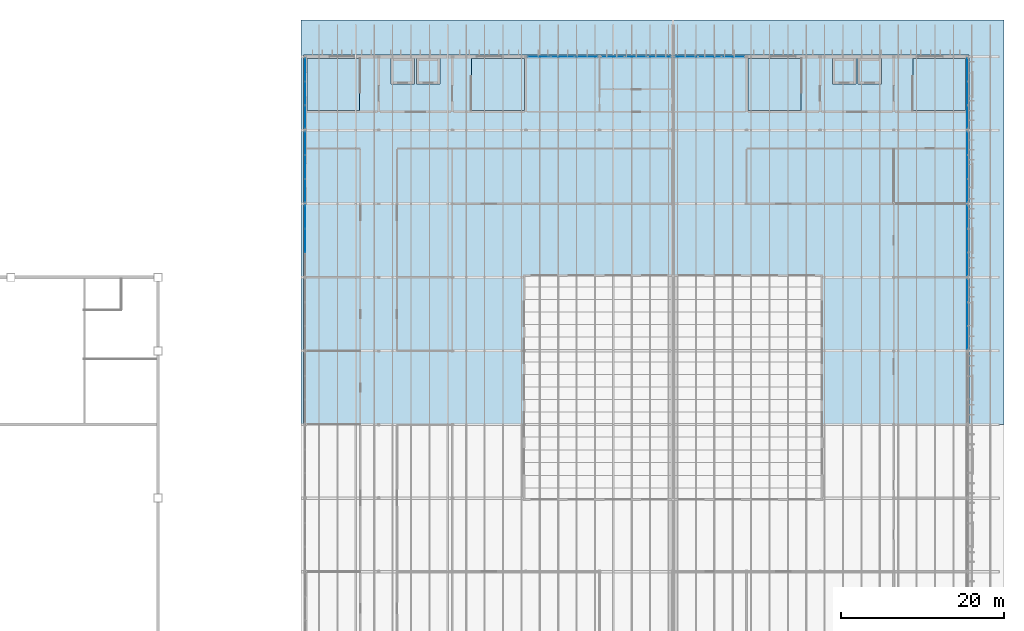
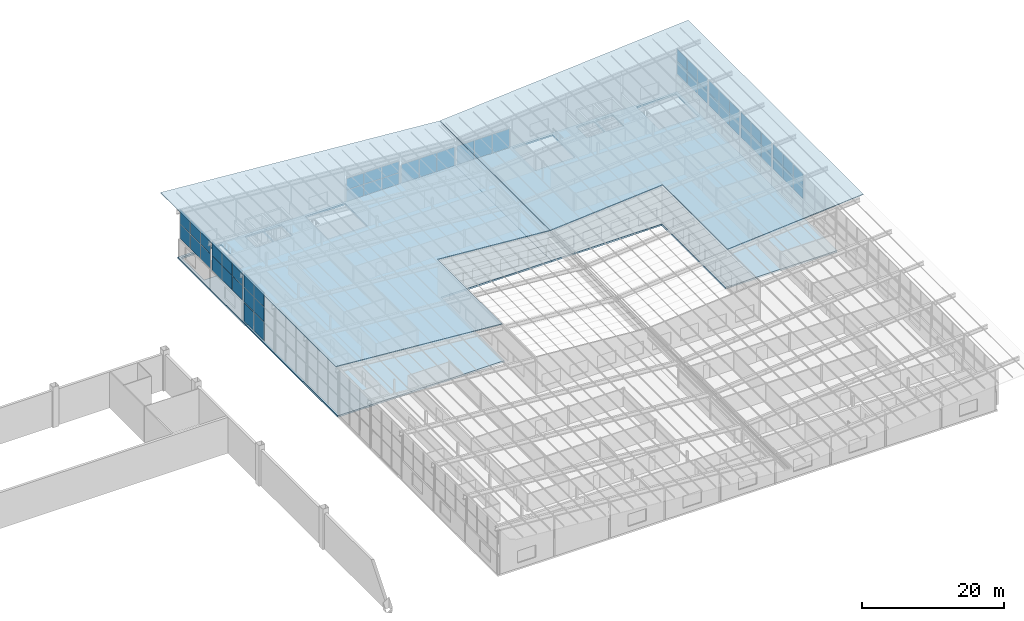
# One storey, part 68 of 85: 54 plates, 4 slabs, 11 elements without a shape of their own.
"""IFC4 building model written with IfcOpenShell, lengths in metres."""

from ifc_helpers import new_model, si_unit, direction, frame, origin, origin_2d, place, context, subcontext, project, spatial, polyline, rectangle, outline, extrude, material, layer, layer_set, type_object, element, aggregate, save


model = new_model("IFC4")

# Units and contexts
model_context = context("Model", 3, precision=1e-05, world=origin(), true_north=direction((0.0, 1.0)))
body_context = subcontext(model_context, "Body", "Model", "MODEL_VIEW")
ifc_project = project(units=[si_unit("LENGTHUNIT", "METRE"), si_unit("AREAUNIT", "SQUARE_METRE"), si_unit("VOLUMEUNIT", "CUBIC_METRE"), si_unit("PLANEANGLEUNIT", "RADIAN"), si_unit("MASSUNIT", "GRAM", prefix="KILO")], contexts=[model_context])

# Site, building, storey
site_placement = place(None, origin())
site = spatial("IfcSite", under=ifc_project, at=site_placement, CompositionType="ELEMENT")
building_placement = place(site_placement, origin())
building = spatial("IfcBuilding", under=site, at=building_placement, Name="Opaline Strait Convention Centre", CompositionType="ELEMENT")
storey_placement = place(building_placement, frame((0.0, 0.0, 17.0)))
storey = spatial("IfcBuildingStorey", under=building, at=storey_placement, Name="L03", CompositionType="ELEMENT", Elevation=17.0)

# Curtain wall, plates
ifc_material_1 = material(Name="Aluminium framed double glazing", Category="aluminium")
ifc_layer_1 = layer(ifc_material_1, 0.199951171875)
ifc_layer_set_1 = layer_set([ifc_layer_1], Name="Aluminium framed double glazing")
curtain_wall_type = type_object("IfcCurtainWallType", Name="Curtain wall 3000 module unitised", PredefinedType="NOTDEFINED", material=ifc_layer_set_1)
curtain_wall_1_placement = place(storey_placement, origin())
curtain_wall_1 = element("IfcCurtainWall", 1, at=curtain_wall_1_placement, inside=storey, type_object=curtain_wall_type, Name="Curtain wall N L03 35/W", PredefinedType="NOTDEFINED")
ifc_material_2 = material(Name="Double glazed unit low emissivity", Category="glass")
ifc_layer_2 = layer(ifc_material_2, 0.028076171875)
ifc_layer_set_2 = layer_set([ifc_layer_2], Name="Double glazed unit low emissivity")
plate_type = type_object("IfcPlateType", Name="Curtain wall glass panel 28", PredefinedType="CURTAIN_PANEL", material=ifc_layer_set_2)
plate_1_placement = place(storey_placement, frame((307.614990234375, 180.0, 0.06005859375), z_axis=(0.0, 0.0, 1.0), x_axis=(1.0, 0.0, 0.0)))
plate_1 = element("IfcPlate", 2, at=plate_1_placement, type_object=plate_type, Name="MCWR1 panel 1.1", PredefinedType="CURTAIN_PANEL", context=body_context, shape_type="SweptSolid", body=[
    extrude(rectangle(XDim=2.81005859375, YDim=0.028076171875, at=origin_2d()), origin(), (0.0, 0.0, 1.0), 1.93505859375),
])
plate_2_placement = place(storey_placement, frame((307.614990234375, 180.0, 2.054931640625), z_axis=(0.0, 0.0, 1.0), x_axis=(1.0, 0.0, 0.0)))
plate_2 = element("IfcPlate", 3, at=plate_2_placement, type_object=plate_type, Name="MCWR1 panel 1.2", PredefinedType="CURTAIN_PANEL", context=body_context, shape_type="SweptSolid", body=[
    extrude(rectangle(XDim=2.81005859375, YDim=0.028076171875, at=origin_2d()), origin(), (0.0, 0.0, 1.0), 1.93505859375),
])
plate_3_placement = place(storey_placement, frame((310.5, 180.0, 0.06005859375), z_axis=(0.0, 0.0, 1.0), x_axis=(1.0, 0.0, 0.0)))
plate_3 = element("IfcPlate", 4, at=plate_3_placement, type_object=plate_type, Name="MCWR1 panel 2.1", PredefinedType="CURTAIN_PANEL", context=body_context, shape_type="SweptSolid", body=[
    extrude(rectangle(XDim=2.840087890625, YDim=0.028076171875, at=origin_2d()), origin(), (0.0, 0.0, 1.0), 1.93505859375),
])
plate_4_placement = place(storey_placement, frame((310.5, 180.0, 2.054931640625), z_axis=(0.0, 0.0, 1.0), x_axis=(1.0, 0.0, 0.0)))
plate_4 = element("IfcPlate", 5, at=plate_4_placement, type_object=plate_type, Name="MCWR1 panel 2.2", PredefinedType="CURTAIN_PANEL", context=body_context, shape_type="SweptSolid", body=[
    extrude(rectangle(XDim=2.840087890625, YDim=0.028076171875, at=origin_2d()), origin(), (0.0, 0.0, 1.0), 1.93505859375),
])
plate_5_placement = place(storey_placement, frame((313.385009765625, 180.0, 0.06005859375), z_axis=(0.0, 0.0, 1.0), x_axis=(1.0, 0.0, 0.0)))
plate_5 = element("IfcPlate", 6, at=plate_5_placement, type_object=plate_type, Name="MCWR1 panel 3.1", PredefinedType="CURTAIN_PANEL", context=body_context, shape_type="SweptSolid", body=[
    extrude(rectangle(XDim=2.81005859375, YDim=0.028076171875, at=origin_2d()), origin(), (0.0, 0.0, 1.0), 1.93505859375),
])
plate_6_placement = place(storey_placement, frame((313.385009765625, 180.0, 2.054931640625), z_axis=(0.0, 0.0, 1.0), x_axis=(1.0, 0.0, 0.0)))
plate_6 = element("IfcPlate", 7, at=plate_6_placement, type_object=plate_type, Name="MCWR1 panel 3.2", PredefinedType="CURTAIN_PANEL", context=body_context, shape_type="SweptSolid", body=[
    extrude(rectangle(XDim=2.81005859375, YDim=0.028076171875, at=origin_2d()), origin(), (0.0, 0.0, 1.0), 1.93505859375),
])
aggregate(curtain_wall_1, [plate_1, plate_2, plate_3, plate_4, plate_5, plate_6])

curtain_wall_2_placement = place(storey_placement, origin())
curtain_wall_2 = element("IfcCurtainWall", 8, at=curtain_wall_2_placement, inside=storey, type_object=curtain_wall_type, Name="Curtain wall N L03 36/W", PredefinedType="NOTDEFINED")
plate_7_placement = place(storey_placement, frame((316.614990234375, 180.0, 0.06005859375), z_axis=(0.0, 0.0, 1.0), x_axis=(1.0, 0.0, 0.0)))
plate_7 = element("IfcPlate", 9, at=plate_7_placement, type_object=plate_type, Name="MCWR1 panel 1.1", PredefinedType="CURTAIN_PANEL", context=body_context, shape_type="SweptSolid", body=[
    extrude(rectangle(XDim=2.81005859375, YDim=0.028076171875, at=origin_2d()), origin(), (0.0, 0.0, 1.0), 3.22998046875),
])
plate_8_placement = place(storey_placement, frame((319.5, 180.0, 0.06005859375), z_axis=(0.0, 0.0, 1.0), x_axis=(1.0, 0.0, 0.0)))
plate_8 = element("IfcPlate", 10, at=plate_8_placement, type_object=plate_type, Name="MCWR1 panel 2.1", PredefinedType="CURTAIN_PANEL", context=body_context, shape_type="SweptSolid", body=[
    extrude(rectangle(XDim=2.840087890625, YDim=0.028076171875, at=origin_2d()), origin(), (0.0, 0.0, 1.0), 3.22998046875),
])
plate_9_placement = place(storey_placement, frame((322.385009765625, 180.0, 0.06005859375), z_axis=(0.0, 0.0, 1.0), x_axis=(1.0, 0.0, 0.0)))
plate_9 = element("IfcPlate", 11, at=plate_9_placement, type_object=plate_type, Name="MCWR1 panel 3.1", PredefinedType="CURTAIN_PANEL", context=body_context, shape_type="SweptSolid", body=[
    extrude(rectangle(XDim=2.81005859375, YDim=0.028076171875, at=origin_2d()), origin(), (0.0, 0.0, 1.0), 3.22998046875),
])
aggregate(curtain_wall_2, [plate_7, plate_8, plate_9])

curtain_wall_3_placement = place(storey_placement, origin())
curtain_wall_3 = element("IfcCurtainWall", 12, at=curtain_wall_3_placement, inside=storey, type_object=curtain_wall_type, Name="Curtain wall N L03 37/W", PredefinedType="NOTDEFINED")
plate_10_placement = place(storey_placement, frame((325.614990234375, 180.0, 0.06005859375), z_axis=(0.0, 0.0, 1.0), x_axis=(1.0, 0.0, 0.0)))
plate_10 = element("IfcPlate", 13, at=plate_10_placement, type_object=plate_type, Name="MCWR1 panel 1.1", PredefinedType="CURTAIN_PANEL", context=body_context, shape_type="SweptSolid", body=[
    extrude(rectangle(XDim=2.81005859375, YDim=0.028076171875, at=origin_2d()), origin(), (0.0, 0.0, 1.0), 3.22998046875),
])
plate_11_placement = place(storey_placement, frame((328.5, 180.0, 0.06005859375), z_axis=(0.0, 0.0, 1.0), x_axis=(1.0, 0.0, 0.0)))
plate_11 = element("IfcPlate", 14, at=plate_11_placement, type_object=plate_type, Name="MCWR1 panel 2.1", PredefinedType="CURTAIN_PANEL", context=body_context, shape_type="SweptSolid", body=[
    extrude(rectangle(XDim=2.840087890625, YDim=0.028076171875, at=origin_2d()), origin(), (0.0, 0.0, 1.0), 3.22998046875),
])
plate_12_placement = place(storey_placement, frame((331.385009765625, 180.0, 0.06005859375), z_axis=(0.0, 0.0, 1.0), x_axis=(1.0, 0.0, 0.0)))
plate_12 = element("IfcPlate", 15, at=plate_12_placement, type_object=plate_type, Name="MCWR1 panel 3.1", PredefinedType="CURTAIN_PANEL", context=body_context, shape_type="SweptSolid", body=[
    extrude(rectangle(XDim=2.81005859375, YDim=0.028076171875, at=origin_2d()), origin(), (0.0, 0.0, 1.0), 3.22998046875),
])
aggregate(curtain_wall_3, [plate_10, plate_11, plate_12])

curtain_wall_4_placement = place(storey_placement, origin())
curtain_wall_4 = element("IfcCurtainWall", 16, at=curtain_wall_4_placement, inside=storey, type_object=curtain_wall_type, Name="Curtain wall W L03 32/T", PredefinedType="NOTDEFINED")
plate_13_placement = place(storey_placement, frame((279.0, 157.5, 0.06005859375), z_axis=(0.0, 0.0, 1.0), x_axis=(0.0, 1.0, 0.0)))
plate_13 = element("IfcPlate", 17, at=plate_13_placement, type_object=plate_type, Name="MCWR1 panel 2.1", PredefinedType="CURTAIN_PANEL", context=body_context, shape_type="SweptSolid", body=[
    extrude(rectangle(XDim=2.840087890625, YDim=0.028076171875, at=origin_2d()), origin(), (0.0, 0.0, 1.0), 3.179931640625),
])
plate_14_placement = place(storey_placement, frame((279.0, 160.385009765625, 0.06005859375), z_axis=(0.0, 0.0, 1.0), x_axis=(0.0, 1.0, 0.0)))
plate_14 = element("IfcPlate", 18, at=plate_14_placement, type_object=plate_type, Name="MCWR1 panel 3.1", PredefinedType="CURTAIN_PANEL", context=body_context, shape_type="SweptSolid", body=[
    extrude(rectangle(XDim=2.81005859375, YDim=0.028076171875, at=origin_2d()), origin(), (0.0, 0.0, 1.0), 3.179931640625),
])
aggregate(curtain_wall_4, [plate_13, plate_14])

curtain_wall_5_placement = place(storey_placement, origin())
curtain_wall_5 = element("IfcCurtainWall", 19, at=curtain_wall_5_placement, inside=storey, type_object=curtain_wall_type, Name="Clerestory curtain wall W L03 32/T", PredefinedType="NOTDEFINED")
plate_15_placement = place(storey_placement, frame((279.0, 157.5, 3.35986328125), z_axis=(0.0, 0.0, 1.0), x_axis=(0.0, 1.0, 0.0)))
plate_15 = element("IfcPlate", 20, at=plate_15_placement, type_object=plate_type, Name="MCWR1 panel 2.1", PredefinedType="CURTAIN_PANEL", context=body_context, shape_type="SweptSolid", body=[
    extrude(rectangle(XDim=2.840087890625, YDim=0.028076171875, at=origin_2d()), origin(), (0.0, 0.0, 1.0), 2.482177734375),
])
plate_16_placement = place(storey_placement, frame((279.0, 157.5, 5.90234375), z_axis=(0.0, 0.0, 1.0), x_axis=(0.0, 1.0, 0.0)))
plate_16 = element("IfcPlate", 21, at=plate_16_placement, type_object=plate_type, Name="MCWR1 panel 2.2", PredefinedType="CURTAIN_PANEL", context=body_context, shape_type="SweptSolid", body=[
    extrude(rectangle(XDim=2.840087890625, YDim=0.028076171875, at=origin_2d()), origin(), (0.0, 0.0, 1.0), 2.482177734375),
])
plate_17_placement = place(storey_placement, frame((279.0, 160.385009765625, 3.35986328125), z_axis=(0.0, 0.0, 1.0), x_axis=(0.0, 1.0, 0.0)))
plate_17 = element("IfcPlate", 22, at=plate_17_placement, type_object=plate_type, Name="MCWR1 panel 3.1", PredefinedType="CURTAIN_PANEL", context=body_context, shape_type="SweptSolid", body=[
    extrude(rectangle(XDim=2.81005859375, YDim=0.028076171875, at=origin_2d()), origin(), (0.0, 0.0, 1.0), 2.482177734375),
])
plate_18_placement = place(storey_placement, frame((279.0, 160.385009765625, 5.90234375), z_axis=(0.0, 0.0, 1.0), x_axis=(0.0, 1.0, 0.0)))
plate_18 = element("IfcPlate", 23, at=plate_18_placement, type_object=plate_type, Name="MCWR1 panel 3.2", PredefinedType="CURTAIN_PANEL", context=body_context, shape_type="SweptSolid", body=[
    extrude(rectangle(XDim=2.81005859375, YDim=0.028076171875, at=origin_2d()), origin(), (0.0, 0.0, 1.0), 2.482177734375),
])
aggregate(curtain_wall_5, [plate_15, plate_16, plate_17, plate_18])

curtain_wall_6_placement = place(storey_placement, origin())
curtain_wall_6 = element("IfcCurtainWall", 24, at=curtain_wall_6_placement, inside=storey, type_object=curtain_wall_type, Name="Clerestory curtain wall W L03 32/U", PredefinedType="NOTDEFINED")
plate_19_placement = place(storey_placement, frame((279.0, 163.614990234375, 3.35986328125), z_axis=(0.0, 0.0, 1.0), x_axis=(0.0, 1.0, 0.0)))
plate_19 = element("IfcPlate", 25, at=plate_19_placement, type_object=plate_type, Name="MCWR1 panel 1.1", PredefinedType="CURTAIN_PANEL", context=body_context, shape_type="SweptSolid", body=[
    extrude(rectangle(XDim=2.81005859375, YDim=0.028076171875, at=origin_2d()), origin(), (0.0, 0.0, 1.0), 2.482177734375),
])
plate_20_placement = place(storey_placement, frame((279.0, 163.614990234375, 5.90234375), z_axis=(0.0, 0.0, 1.0), x_axis=(0.0, 1.0, 0.0)))
plate_20 = element("IfcPlate", 26, at=plate_20_placement, type_object=plate_type, Name="MCWR1 panel 1.2", PredefinedType="CURTAIN_PANEL", context=body_context, shape_type="SweptSolid", body=[
    extrude(rectangle(XDim=2.81005859375, YDim=0.028076171875, at=origin_2d()), origin(), (0.0, 0.0, 1.0), 2.482177734375),
])
plate_21_placement = place(storey_placement, frame((279.0, 166.5, 3.35986328125), z_axis=(0.0, 0.0, 1.0), x_axis=(0.0, 1.0, 0.0)))
plate_21 = element("IfcPlate", 27, at=plate_21_placement, type_object=plate_type, Name="MCWR1 panel 2.1", PredefinedType="CURTAIN_PANEL", context=body_context, shape_type="SweptSolid", body=[
    extrude(rectangle(XDim=2.840087890625, YDim=0.028076171875, at=origin_2d()), origin(), (0.0, 0.0, 1.0), 2.482177734375),
])
plate_22_placement = place(storey_placement, frame((279.0, 166.5, 5.90234375), z_axis=(0.0, 0.0, 1.0), x_axis=(0.0, 1.0, 0.0)))
plate_22 = element("IfcPlate", 28, at=plate_22_placement, type_object=plate_type, Name="MCWR1 panel 2.2", PredefinedType="CURTAIN_PANEL", context=body_context, shape_type="SweptSolid", body=[
    extrude(rectangle(XDim=2.840087890625, YDim=0.028076171875, at=origin_2d()), origin(), (0.0, 0.0, 1.0), 2.482177734375),
])
plate_23_placement = place(storey_placement, frame((279.0, 169.385009765625, 3.35986328125), z_axis=(0.0, 0.0, 1.0), x_axis=(0.0, 1.0, 0.0)))
plate_23 = element("IfcPlate", 29, at=plate_23_placement, type_object=plate_type, Name="MCWR1 panel 3.1", PredefinedType="CURTAIN_PANEL", context=body_context, shape_type="SweptSolid", body=[
    extrude(rectangle(XDim=2.81005859375, YDim=0.028076171875, at=origin_2d()), origin(), (0.0, 0.0, 1.0), 2.482177734375),
])
plate_24_placement = place(storey_placement, frame((279.0, 169.385009765625, 5.90234375), z_axis=(0.0, 0.0, 1.0), x_axis=(0.0, 1.0, 0.0)))
plate_24 = element("IfcPlate", 30, at=plate_24_placement, type_object=plate_type, Name="MCWR1 panel 3.2", PredefinedType="CURTAIN_PANEL", context=body_context, shape_type="SweptSolid", body=[
    extrude(rectangle(XDim=2.81005859375, YDim=0.028076171875, at=origin_2d()), origin(), (0.0, 0.0, 1.0), 2.482177734375),
])
aggregate(curtain_wall_6, [plate_19, plate_20, plate_21, plate_22, plate_23, plate_24])

curtain_wall_7_placement = place(storey_placement, origin())
curtain_wall_7 = element("IfcCurtainWall", 31, at=curtain_wall_7_placement, inside=storey, type_object=curtain_wall_type, Name="Clerestory curtain wall W L03 32/V", PredefinedType="NOTDEFINED")
plate_25_placement = place(storey_placement, frame((279.0, 172.614990234375, 3.35986328125), z_axis=(0.0, 0.0, 1.0), x_axis=(0.0, 1.0, 0.0)))
plate_25 = element("IfcPlate", 32, at=plate_25_placement, type_object=plate_type, Name="MCWR1 panel 1.1", PredefinedType="CURTAIN_PANEL", context=body_context, shape_type="SweptSolid", body=[
    extrude(rectangle(XDim=2.81005859375, YDim=0.028076171875, at=origin_2d()), origin(), (0.0, 0.0, 1.0), 2.482177734375),
])
plate_26_placement = place(storey_placement, frame((279.0, 172.614990234375, 5.90234375), z_axis=(0.0, 0.0, 1.0), x_axis=(0.0, 1.0, 0.0)))
plate_26 = element("IfcPlate", 33, at=plate_26_placement, type_object=plate_type, Name="MCWR1 panel 1.2", PredefinedType="CURTAIN_PANEL", context=body_context, shape_type="SweptSolid", body=[
    extrude(rectangle(XDim=2.81005859375, YDim=0.028076171875, at=origin_2d()), origin(), (0.0, 0.0, 1.0), 2.482177734375),
])
plate_27_placement = place(storey_placement, frame((279.0, 175.5, 3.35986328125), z_axis=(0.0, 0.0, 1.0), x_axis=(0.0, 1.0, 0.0)))
plate_27 = element("IfcPlate", 34, at=plate_27_placement, type_object=plate_type, Name="MCWR1 panel 2.1", PredefinedType="CURTAIN_PANEL", context=body_context, shape_type="SweptSolid", body=[
    extrude(rectangle(XDim=2.840087890625, YDim=0.028076171875, at=origin_2d()), origin(), (0.0, 0.0, 1.0), 2.482177734375),
])
plate_28_placement = place(storey_placement, frame((279.0, 175.5, 5.90234375), z_axis=(0.0, 0.0, 1.0), x_axis=(0.0, 1.0, 0.0)))
plate_28 = element("IfcPlate", 35, at=plate_28_placement, type_object=plate_type, Name="MCWR1 panel 2.2", PredefinedType="CURTAIN_PANEL", context=body_context, shape_type="SweptSolid", body=[
    extrude(rectangle(XDim=2.840087890625, YDim=0.028076171875, at=origin_2d()), origin(), (0.0, 0.0, 1.0), 2.482177734375),
])
plate_29_placement = place(storey_placement, frame((279.0, 178.385009765625, 3.35986328125), z_axis=(0.0, 0.0, 1.0), x_axis=(0.0, 1.0, 0.0)))
plate_29 = element("IfcPlate", 36, at=plate_29_placement, type_object=plate_type, Name="MCWR1 panel 3.1", PredefinedType="CURTAIN_PANEL", context=body_context, shape_type="SweptSolid", body=[
    extrude(rectangle(XDim=2.81005859375, YDim=0.028076171875, at=origin_2d()), origin(), (0.0, 0.0, 1.0), 2.482177734375),
])
plate_30_placement = place(storey_placement, frame((279.0, 178.385009765625, 5.90234375), z_axis=(0.0, 0.0, 1.0), x_axis=(0.0, 1.0, 0.0)))
plate_30 = element("IfcPlate", 37, at=plate_30_placement, type_object=plate_type, Name="MCWR1 panel 3.2", PredefinedType="CURTAIN_PANEL", context=body_context, shape_type="SweptSolid", body=[
    extrude(rectangle(XDim=2.81005859375, YDim=0.028076171875, at=origin_2d()), origin(), (0.0, 0.0, 1.0), 2.482177734375),
])
aggregate(curtain_wall_7, [plate_25, plate_26, plate_27, plate_28, plate_29, plate_30])

curtain_wall_8_placement = place(storey_placement, origin())
curtain_wall_8 = element("IfcCurtainWall", 38, at=curtain_wall_8_placement, inside=storey, type_object=curtain_wall_type, Name="Clerestory curtain wall E L03 41/S", PredefinedType="NOTDEFINED")
plate_31_placement = place(storey_placement, frame((360.0, 145.614990234375, 3.360107421875), z_axis=(0.0, 0.0, 1.0), x_axis=(0.0, 1.0, 0.0)))
plate_31 = element("IfcPlate", 39, at=plate_31_placement, type_object=plate_type, Name="MCWR1 panel 1.1", PredefinedType="CURTAIN_PANEL", context=body_context, shape_type="SweptSolid", body=[
    extrude(rectangle(XDim=2.81005859375, YDim=0.028076171875, at=origin_2d()), origin(), (0.0, 0.0, 1.0), 2.1279296875),
])
plate_32_placement = place(storey_placement, frame((360.0, 145.614990234375, 5.5478515625), z_axis=(0.0, 0.0, 1.0), x_axis=(0.0, 1.0, 0.0)))
plate_32 = element("IfcPlate", 40, at=plate_32_placement, type_object=plate_type, Name="MCWR1 panel 1.2", PredefinedType="CURTAIN_PANEL", context=body_context, shape_type="SweptSolid", body=[
    extrude(rectangle(XDim=2.81005859375, YDim=0.028076171875, at=origin_2d()), origin(), (0.0, 0.0, 1.0), 2.128173828125),
])
plate_33_placement = place(storey_placement, frame((360.0, 148.5, 3.360107421875), z_axis=(0.0, 0.0, 1.0), x_axis=(0.0, 1.0, 0.0)))
plate_33 = element("IfcPlate", 41, at=plate_33_placement, type_object=plate_type, Name="MCWR1 panel 2.1", PredefinedType="CURTAIN_PANEL", context=body_context, shape_type="SweptSolid", body=[
    extrude(rectangle(XDim=2.840087890625, YDim=0.028076171875, at=origin_2d()), origin(), (0.0, 0.0, 1.0), 2.1279296875),
])
plate_34_placement = place(storey_placement, frame((360.0, 148.5, 5.5478515625), z_axis=(0.0, 0.0, 1.0), x_axis=(0.0, 1.0, 0.0)))
plate_34 = element("IfcPlate", 42, at=plate_34_placement, type_object=plate_type, Name="MCWR1 panel 2.2", PredefinedType="CURTAIN_PANEL", context=body_context, shape_type="SweptSolid", body=[
    extrude(rectangle(XDim=2.840087890625, YDim=0.028076171875, at=origin_2d()), origin(), (0.0, 0.0, 1.0), 2.128173828125),
])
plate_35_placement = place(storey_placement, frame((360.0, 151.385009765625, 3.360107421875), z_axis=(0.0, 0.0, 1.0), x_axis=(0.0, 1.0, 0.0)))
plate_35 = element("IfcPlate", 43, at=plate_35_placement, type_object=plate_type, Name="MCWR1 panel 3.1", PredefinedType="CURTAIN_PANEL", context=body_context, shape_type="SweptSolid", body=[
    extrude(rectangle(XDim=2.81005859375, YDim=0.028076171875, at=origin_2d()), origin(), (0.0, 0.0, 1.0), 2.1279296875),
])
plate_36_placement = place(storey_placement, frame((360.0, 151.385009765625, 5.5478515625), z_axis=(0.0, 0.0, 1.0), x_axis=(0.0, 1.0, 0.0)))
plate_36 = element("IfcPlate", 44, at=plate_36_placement, type_object=plate_type, Name="MCWR1 panel 3.2", PredefinedType="CURTAIN_PANEL", context=body_context, shape_type="SweptSolid", body=[
    extrude(rectangle(XDim=2.81005859375, YDim=0.028076171875, at=origin_2d()), origin(), (0.0, 0.0, 1.0), 2.128173828125),
])
aggregate(curtain_wall_8, [plate_31, plate_32, plate_33, plate_34, plate_35, plate_36])

curtain_wall_9_placement = place(storey_placement, origin())
curtain_wall_9 = element("IfcCurtainWall", 45, at=curtain_wall_9_placement, inside=storey, type_object=curtain_wall_type, Name="Clerestory curtain wall E L03 41/T", PredefinedType="NOTDEFINED")
plate_37_placement = place(storey_placement, frame((360.0, 154.614990234375, 3.360107421875), z_axis=(0.0, 0.0, 1.0), x_axis=(0.0, 1.0, 0.0)))
plate_37 = element("IfcPlate", 46, at=plate_37_placement, type_object=plate_type, Name="MCWR1 panel 1.1", PredefinedType="CURTAIN_PANEL", context=body_context, shape_type="SweptSolid", body=[
    extrude(rectangle(XDim=2.81005859375, YDim=0.028076171875, at=origin_2d()), origin(), (0.0, 0.0, 1.0), 2.1279296875),
])
plate_38_placement = place(storey_placement, frame((360.0, 154.614990234375, 5.5478515625), z_axis=(0.0, 0.0, 1.0), x_axis=(0.0, 1.0, 0.0)))
plate_38 = element("IfcPlate", 47, at=plate_38_placement, type_object=plate_type, Name="MCWR1 panel 1.2", PredefinedType="CURTAIN_PANEL", context=body_context, shape_type="SweptSolid", body=[
    extrude(rectangle(XDim=2.81005859375, YDim=0.028076171875, at=origin_2d()), origin(), (0.0, 0.0, 1.0), 2.128173828125),
])
plate_39_placement = place(storey_placement, frame((360.0, 157.5, 3.360107421875), z_axis=(0.0, 0.0, 1.0), x_axis=(0.0, 1.0, 0.0)))
plate_39 = element("IfcPlate", 48, at=plate_39_placement, type_object=plate_type, Name="MCWR1 panel 2.1", PredefinedType="CURTAIN_PANEL", context=body_context, shape_type="SweptSolid", body=[
    extrude(rectangle(XDim=2.840087890625, YDim=0.028076171875, at=origin_2d()), origin(), (0.0, 0.0, 1.0), 2.1279296875),
])
plate_40_placement = place(storey_placement, frame((360.0, 157.5, 5.5478515625), z_axis=(0.0, 0.0, 1.0), x_axis=(0.0, 1.0, 0.0)))
plate_40 = element("IfcPlate", 49, at=plate_40_placement, type_object=plate_type, Name="MCWR1 panel 2.2", PredefinedType="CURTAIN_PANEL", context=body_context, shape_type="SweptSolid", body=[
    extrude(rectangle(XDim=2.840087890625, YDim=0.028076171875, at=origin_2d()), origin(), (0.0, 0.0, 1.0), 2.128173828125),
])
plate_41_placement = place(storey_placement, frame((360.0, 160.385009765625, 3.360107421875), z_axis=(0.0, 0.0, 1.0), x_axis=(0.0, 1.0, 0.0)))
plate_41 = element("IfcPlate", 50, at=plate_41_placement, type_object=plate_type, Name="MCWR1 panel 3.1", PredefinedType="CURTAIN_PANEL", context=body_context, shape_type="SweptSolid", body=[
    extrude(rectangle(XDim=2.81005859375, YDim=0.028076171875, at=origin_2d()), origin(), (0.0, 0.0, 1.0), 2.1279296875),
])
plate_42_placement = place(storey_placement, frame((360.0, 160.385009765625, 5.5478515625), z_axis=(0.0, 0.0, 1.0), x_axis=(0.0, 1.0, 0.0)))
plate_42 = element("IfcPlate", 51, at=plate_42_placement, type_object=plate_type, Name="MCWR1 panel 3.2", PredefinedType="CURTAIN_PANEL", context=body_context, shape_type="SweptSolid", body=[
    extrude(rectangle(XDim=2.81005859375, YDim=0.028076171875, at=origin_2d()), origin(), (0.0, 0.0, 1.0), 2.128173828125),
])
aggregate(curtain_wall_9, [plate_37, plate_38, plate_39, plate_40, plate_41, plate_42])

curtain_wall_10_placement = place(storey_placement, origin())
curtain_wall_10 = element("IfcCurtainWall", 52, at=curtain_wall_10_placement, inside=storey, type_object=curtain_wall_type, Name="Clerestory curtain wall E L03 41/U", PredefinedType="NOTDEFINED")
plate_43_placement = place(storey_placement, frame((360.0, 163.614990234375, 3.360107421875), z_axis=(0.0, 0.0, 1.0), x_axis=(0.0, 1.0, 0.0)))
plate_43 = element("IfcPlate", 53, at=plate_43_placement, type_object=plate_type, Name="MCWR1 panel 1.1", PredefinedType="CURTAIN_PANEL", context=body_context, shape_type="SweptSolid", body=[
    extrude(rectangle(XDim=2.81005859375, YDim=0.028076171875, at=origin_2d()), origin(), (0.0, 0.0, 1.0), 2.1279296875),
])
plate_44_placement = place(storey_placement, frame((360.0, 163.614990234375, 5.5478515625), z_axis=(0.0, 0.0, 1.0), x_axis=(0.0, 1.0, 0.0)))
plate_44 = element("IfcPlate", 54, at=plate_44_placement, type_object=plate_type, Name="MCWR1 panel 1.2", PredefinedType="CURTAIN_PANEL", context=body_context, shape_type="SweptSolid", body=[
    extrude(rectangle(XDim=2.81005859375, YDim=0.028076171875, at=origin_2d()), origin(), (0.0, 0.0, 1.0), 2.128173828125),
])
plate_45_placement = place(storey_placement, frame((360.0, 166.5, 3.360107421875), z_axis=(0.0, 0.0, 1.0), x_axis=(0.0, 1.0, 0.0)))
plate_45 = element("IfcPlate", 55, at=plate_45_placement, type_object=plate_type, Name="MCWR1 panel 2.1", PredefinedType="CURTAIN_PANEL", context=body_context, shape_type="SweptSolid", body=[
    extrude(rectangle(XDim=2.840087890625, YDim=0.028076171875, at=origin_2d()), origin(), (0.0, 0.0, 1.0), 2.1279296875),
])
plate_46_placement = place(storey_placement, frame((360.0, 166.5, 5.5478515625), z_axis=(0.0, 0.0, 1.0), x_axis=(0.0, 1.0, 0.0)))
plate_46 = element("IfcPlate", 56, at=plate_46_placement, type_object=plate_type, Name="MCWR1 panel 2.2", PredefinedType="CURTAIN_PANEL", context=body_context, shape_type="SweptSolid", body=[
    extrude(rectangle(XDim=2.840087890625, YDim=0.028076171875, at=origin_2d()), origin(), (0.0, 0.0, 1.0), 2.128173828125),
])
plate_47_placement = place(storey_placement, frame((360.0, 169.385009765625, 3.360107421875), z_axis=(0.0, 0.0, 1.0), x_axis=(0.0, 1.0, 0.0)))
plate_47 = element("IfcPlate", 57, at=plate_47_placement, type_object=plate_type, Name="MCWR1 panel 3.1", PredefinedType="CURTAIN_PANEL", context=body_context, shape_type="SweptSolid", body=[
    extrude(rectangle(XDim=2.81005859375, YDim=0.028076171875, at=origin_2d()), origin(), (0.0, 0.0, 1.0), 2.1279296875),
])
plate_48_placement = place(storey_placement, frame((360.0, 169.385009765625, 5.5478515625), z_axis=(0.0, 0.0, 1.0), x_axis=(0.0, 1.0, 0.0)))
plate_48 = element("IfcPlate", 58, at=plate_48_placement, type_object=plate_type, Name="MCWR1 panel 3.2", PredefinedType="CURTAIN_PANEL", context=body_context, shape_type="SweptSolid", body=[
    extrude(rectangle(XDim=2.81005859375, YDim=0.028076171875, at=origin_2d()), origin(), (0.0, 0.0, 1.0), 2.128173828125),
])
aggregate(curtain_wall_10, [plate_43, plate_44, plate_45, plate_46, plate_47, plate_48])

curtain_wall_11_placement = place(storey_placement, origin())
curtain_wall_11 = element("IfcCurtainWall", 59, at=curtain_wall_11_placement, inside=storey, type_object=curtain_wall_type, Name="Clerestory curtain wall E L03 41/V", PredefinedType="NOTDEFINED")
plate_49_placement = place(storey_placement, frame((360.0, 172.614990234375, 3.360107421875), z_axis=(0.0, 0.0, 1.0), x_axis=(0.0, 1.0, 0.0)))
plate_49 = element("IfcPlate", 60, at=plate_49_placement, type_object=plate_type, Name="MCWR1 panel 1.1", PredefinedType="CURTAIN_PANEL", context=body_context, shape_type="SweptSolid", body=[
    extrude(rectangle(XDim=2.81005859375, YDim=0.028076171875, at=origin_2d()), origin(), (0.0, 0.0, 1.0), 2.1279296875),
])
plate_50_placement = place(storey_placement, frame((360.0, 172.614990234375, 5.5478515625), z_axis=(0.0, 0.0, 1.0), x_axis=(0.0, 1.0, 0.0)))
plate_50 = element("IfcPlate", 61, at=plate_50_placement, type_object=plate_type, Name="MCWR1 panel 1.2", PredefinedType="CURTAIN_PANEL", context=body_context, shape_type="SweptSolid", body=[
    extrude(rectangle(XDim=2.81005859375, YDim=0.028076171875, at=origin_2d()), origin(), (0.0, 0.0, 1.0), 2.128173828125),
])
plate_51_placement = place(storey_placement, frame((360.0, 175.5, 3.360107421875), z_axis=(0.0, 0.0, 1.0), x_axis=(0.0, 1.0, 0.0)))
plate_51 = element("IfcPlate", 62, at=plate_51_placement, type_object=plate_type, Name="MCWR1 panel 2.1", PredefinedType="CURTAIN_PANEL", context=body_context, shape_type="SweptSolid", body=[
    extrude(rectangle(XDim=2.840087890625, YDim=0.028076171875, at=origin_2d()), origin(), (0.0, 0.0, 1.0), 2.1279296875),
])
plate_52_placement = place(storey_placement, frame((360.0, 175.5, 5.5478515625), z_axis=(0.0, 0.0, 1.0), x_axis=(0.0, 1.0, 0.0)))
plate_52 = element("IfcPlate", 63, at=plate_52_placement, type_object=plate_type, Name="MCWR1 panel 2.2", PredefinedType="CURTAIN_PANEL", context=body_context, shape_type="SweptSolid", body=[
    extrude(rectangle(XDim=2.840087890625, YDim=0.028076171875, at=origin_2d()), origin(), (0.0, 0.0, 1.0), 2.128173828125),
])
plate_53_placement = place(storey_placement, frame((360.0, 178.385009765625, 3.360107421875), z_axis=(0.0, 0.0, 1.0), x_axis=(0.0, 1.0, 0.0)))
plate_53 = element("IfcPlate", 64, at=plate_53_placement, type_object=plate_type, Name="MCWR1 panel 3.1", PredefinedType="CURTAIN_PANEL", context=body_context, shape_type="SweptSolid", body=[
    extrude(rectangle(XDim=2.81005859375, YDim=0.028076171875, at=origin_2d()), origin(), (0.0, 0.0, 1.0), 2.1279296875),
])
plate_54_placement = place(storey_placement, frame((360.0, 178.385009765625, 5.5478515625), z_axis=(0.0, 0.0, 1.0), x_axis=(0.0, 1.0, 0.0)))
plate_54 = element("IfcPlate", 65, at=plate_54_placement, type_object=plate_type, Name="MCWR1 panel 3.2", PredefinedType="CURTAIN_PANEL", context=body_context, shape_type="SweptSolid", body=[
    extrude(rectangle(XDim=2.81005859375, YDim=0.028076171875, at=origin_2d()), origin(), (0.0, 0.0, 1.0), 2.128173828125),
])
aggregate(curtain_wall_11, [plate_49, plate_50, plate_51, plate_52, plate_53, plate_54])

# Slabs
ifc_material_3 = material(Name="Concrete C35", Category="concrete")
ifc_layer_3 = layer(ifc_material_3, 0.280029296875)
ifc_layer_set_3 = layer_set([ifc_layer_3], Name="Concrete C35")
slab_type_1 = type_object("IfcSlabType", Name="RC floor slab 280 C35", PredefinedType="FLOOR", material=ifc_layer_set_3)
slab_1_placement = place(storey_placement, frame((0.0, 0.0, -0.280029296875)))
element("IfcSlab", 66, at=slab_1_placement, inside=storey, type_object=slab_type_1, Name="XS2 L03 slab pour NW", PredefinedType="FLOOR", context=body_context, shape_type="SweptSolid", body=[
    extrude(outline(polyline([(324.0, 180.199951171875), (324.0, 153.0), (306.0, 153.0), (306.0, 135.0), (278.800048828125, 135.0), (278.800048828125, 180.199951171875), (324.0, 180.199951171875)]), holes=[polyline([(299.3505859375, 179.7998046875), (299.3505859375, 173.39990234375), (305.849853515625, 173.39990234375), (305.849853515625, 179.7998046875), (299.3505859375, 179.7998046875)]), polyline([(279.2001953125, 179.800048828125), (279.2001953125, 173.400146484375), (285.6494140625, 173.400146484375), (285.6494140625, 179.800048828125), (279.2001953125, 179.800048828125)]), polyline([(289.5, 179.75), (289.5, 176.64990234375), (292.39990234375, 176.64990234375), (292.39990234375, 179.75), (289.5, 179.75)]), polyline([(292.60009765625, 179.75), (292.60009765625, 176.64990234375), (295.5, 176.64990234375), (295.5, 179.75), (292.60009765625, 179.75)])]), origin(), (0.0, 0.0, 1.0), 0.280029296875),
])
slab_2_placement = place(storey_placement, frame((0.0, 0.0, -0.280029296875)))
element("IfcSlab", 67, at=slab_2_placement, inside=storey, type_object=slab_type_1, Name="XS2 L03 slab pour NE", PredefinedType="FLOOR", context=body_context, shape_type="SweptSolid", body=[
    extrude(outline(polyline([(360.199951171875, 180.199951171875), (360.199951171875, 135.0), (342.0, 135.0), (342.0, 153.0), (324.0, 153.0), (324.0, 180.199951171875), (360.199951171875, 180.199951171875)]), holes=[polyline([(353.3505859375, 179.7998046875), (353.3505859375, 173.39990234375), (359.7998046875, 173.39990234375), (359.7998046875, 179.7998046875), (353.3505859375, 179.7998046875)]), polyline([(333.150146484375, 179.800048828125), (333.150146484375, 173.400146484375), (339.6494140625, 173.400146484375), (339.6494140625, 179.800048828125), (333.150146484375, 179.800048828125)]), polyline([(343.5, 179.75), (343.5, 176.64990234375), (346.39990234375, 176.64990234375), (346.39990234375, 179.75), (343.5, 179.75)]), polyline([(346.60009765625, 179.75), (346.60009765625, 176.64990234375), (349.5, 176.64990234375), (349.5, 179.75), (346.60009765625, 179.75)])]), origin(), (0.0, 0.0, 1.0), 0.280029296875),
])
ifc_material_4 = material(Name="Steel Q235-B", Category="steel")
ifc_layer_4 = layer(ifc_material_4, 0.0009765625)
ifc_material_5 = material(Name="Mineral wool insulation")
ifc_layer_5 = layer(ifc_material_5, 0.117919921875)
ifc_layer_6 = layer(ifc_material_4, 0.0009765625)
ifc_layer_set_4 = layer_set([ifc_layer_4, ifc_layer_5, ifc_layer_6], Name="Steel Q235-B, Mineral wool insulation, Steel Q235-B")
slab_type_2 = type_object("IfcSlabType", Name="Roof deck panel 120 steel Q235B", PredefinedType="ROOF", material=ifc_layer_set_4)
slab_3_placement = place(storey_placement, frame((278.52001953125, 184.47998046875, 8.6025390625), z_axis=(0.078460080539, 1.60909e-06, 0.996917256225), x_axis=(0.996917256226, 2e-12, -0.078460080539)))
element("IfcSlab", 68, at=slab_3_placement, inside=storey, type_object=slab_type_2, Name="MRD1 roof deck W wing 2", PredefinedType="ROOF", context=body_context, shape_type="SweptSolid", body=[
    extrude(outline(polyline([(0.0, 0.0), (45.60054034635368, 0.0), (45.600540346288895, -31.135009765584694), (27.218910831905166, -31.135009765802565), (27.21891083186703, -49.45996093765384), (-1.0292413986760922e-10, -49.45996093743597), (0.0, 0.0)])), origin(), (0.0, 0.0, -1.0), 0.1201171875),
])
slab_4_placement = place(storey_placement, frame((364.47998046875, 184.47998046875, 8.208984375), z_axis=(-0.078458868684, 1.834977e-06, 0.9969173516), x_axis=(-1.4397e-07, -0.999999999998, 1.829321e-06)))
element("IfcSlab", 69, at=slab_4_placement, inside=storey, type_object=slab_type_2, Name="MRD1 roof deck E wing 2", PredefinedType="ROOF", context=body_context, shape_type="SweptSolid", body=[
    extrude(outline(polyline([(0.0, 0.0), (49.45996093741673, -1.3091942651241623e-21), (49.459960937626406, -22.20344621851591), (31.135009765782254, -22.20344621851591), (31.135009765449176, -40.585075732692566), (-1.2340538774319572e-10, -40.585075732692566), (0.0, 0.0)])), origin(), (0.0, 0.0, -1.0), 0.1201171875),
])

save(model, "model.ifc")
